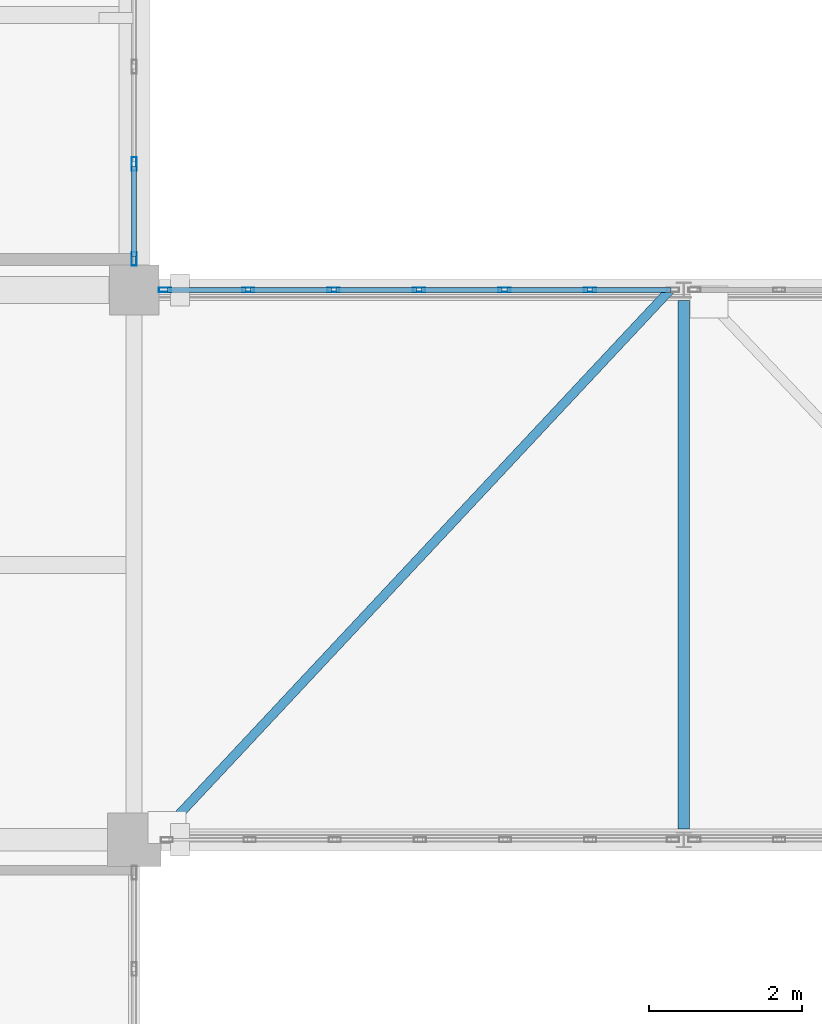
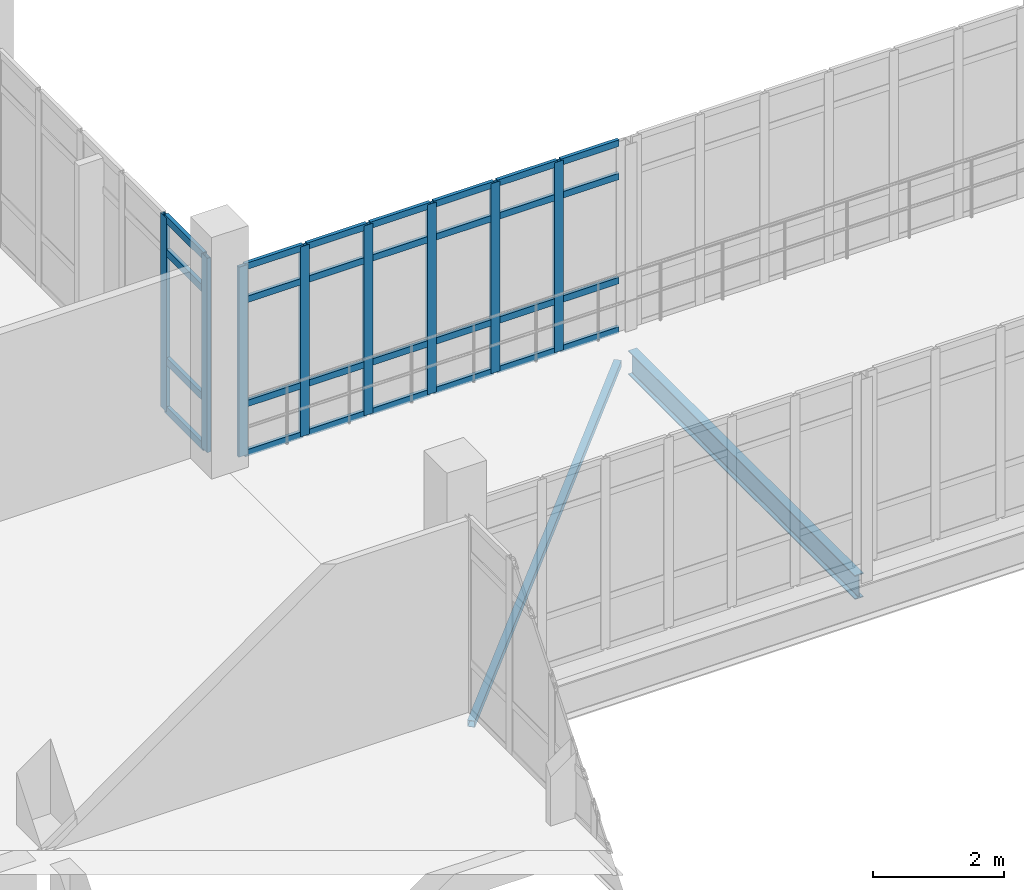
# One storey, part 17 of 116: 37 members, 1 beam, 2 elements without a shape of their own.
"""IFC4 building model written with IfcOpenShell, lengths in metres."""

from ifc_helpers import new_model, si_unit, direction, frame, origin, origin_2d, place, context, subcontext, project, spatial, hollow_rectangle, i_section, extrude, material, material_profile, profile_set, type_object, element, aggregate, save


model = new_model("IFC4")

# Units and contexts
model_context = context("Model", 3, precision=1e-05, world=origin(), true_north=direction((0.0, 1.0)))
body_context = subcontext(model_context, "Body", "Model", "MODEL_VIEW")
ifc_project = project(units=[si_unit("LENGTHUNIT", "METRE"), si_unit("AREAUNIT", "SQUARE_METRE"), si_unit("VOLUMEUNIT", "CUBIC_METRE"), si_unit("PLANEANGLEUNIT", "RADIAN"), si_unit("MASSUNIT", "GRAM", prefix="KILO")], contexts=[model_context])

# Site, building, storey
site_placement = place(None, origin())
site = spatial("IfcSite", under=ifc_project, at=site_placement, CompositionType="ELEMENT")
building_placement = place(site_placement, origin())
building = spatial("IfcBuilding", under=site, at=building_placement, Name="Kalluvel Institute of Natural Sciences", CompositionType="ELEMENT")
storey_placement = place(building_placement, frame((0.0, 0.0, 14.39990234375)))
storey = spatial("IfcBuildingStorey", under=building, at=storey_placement, Name="L03", CompositionType="ELEMENT", Elevation=14.39990234375)

# Beam
ifc_material_1 = material(Name="Steel E350 Grade 350", Category="steel")
ifc_material_profile_1 = material_profile(ifc_material_1, i_section(OverallWidth=0.14990234375, OverallDepth=0.449951171875, WebThickness=0.009521484375, FlangeThickness=0.017333984375, FilletRadius=0.014892578125, at=origin_2d()), Name="ISMB 450")
ifc_profile_set_1 = profile_set([ifc_material_profile_1], Name="Steel E350 Grade 350")
beam_type = type_object("IfcBeamType", Name="BM-ISMB450", PredefinedType="BEAM", material=ifc_profile_set_1)
beam_placement = place(storey_placement, frame((42.800048828125, 28.5400390625, -0.544921875), z_axis=(0.0, 1.0, 0.0), x_axis=(-1.0, 0.0, 0.0)))
element("IfcBeam", 1, at=beam_placement, inside=storey, type_object=beam_type, Name="L03 link bridge cross girder 63", PredefinedType="BEAM", context=body_context, shape_type="SweptSolid", body=[
    extrude(i_section(OverallWidth=0.14990234375, OverallDepth=0.449951171875, WebThickness=0.009521484375, FlangeThickness=0.017333984375, FilletRadius=0.014892578125, at=origin_2d()), origin(), (0.0, 0.0, 1.0), 6.919921875),
])

# Curtain wall, members
ifc_material_2 = material(Name="Aluminium AW-6063 T6", Category="aluminium")
curtain_wall_type_1 = type_object("IfcCurtainWallType", Name="CW-BRG-45", PredefinedType="USERDEFINED", material=ifc_material_2)
curtain_wall_1_placement = place(storey_placement, origin())
curtain_wall_1 = element("IfcCurtainWall", 2, at=curtain_wall_1_placement, inside=storey, type_object=curtain_wall_type_1, Name="L03 Gothic lancet curtain wall CWA-L03-X360-Y356", ObjectType="UNITISED LANCET FACADE", PredefinedType="USERDEFINED")
ifc_material_profile_2 = material_profile(ifc_material_2, hollow_rectangle(XDim=0.06005859375, YDim=0.159912109375, WallThickness=0.00390625, at=origin_2d()), Name="CWM 60x160")
ifc_profile_set_2 = profile_set([ifc_material_profile_2], Name="Aluminium AW-6063 T6")
member_type_1 = type_object("IfcMemberType", Name="CWM-60x160", PredefinedType="MULLION", material=ifc_profile_set_2)
member_1_placement = place(storey_placement, frame((36.0048828125, 35.60009765625, 0.0), z_axis=(0.0, 0.0, 1.0), x_axis=(0.0, 1.0, 0.0)))
member_1 = element("IfcMember", 3, at=member_1_placement, type_object=member_type_1, Name="CW-07 mullion 1", PredefinedType="MULLION", context=body_context, shape_type="SweptSolid", body=[
    extrude(hollow_rectangle(XDim=0.06005859375, YDim=0.159912109375, WallThickness=0.00390625, at=origin_2d()), origin(), (0.0, 0.0, 1.0), 3.5400390625),
])
member_2_placement = place(storey_placement, frame((37.09423828125, 35.60009765625, 0.0), z_axis=(0.0, 0.0, 1.0), x_axis=(0.0, 1.0, 0.0)))
member_2 = element("IfcMember", 4, at=member_2_placement, type_object=member_type_1, Name="CW-07 mullion 2", PredefinedType="MULLION", context=body_context, shape_type="SweptSolid", body=[
    extrude(hollow_rectangle(XDim=0.06005859375, YDim=0.159912109375, WallThickness=0.00390625, at=origin_2d()), origin(), (0.0, 0.0, 1.0), 3.5400390625),
])
member_3_placement = place(storey_placement, frame((38.21337890625, 35.60009765625, 0.0), z_axis=(0.0, 0.0, 1.0), x_axis=(0.0, 1.0, 0.0)))
member_3 = element("IfcMember", 5, at=member_3_placement, type_object=member_type_1, Name="CW-07 mullion 3", PredefinedType="MULLION", context=body_context, shape_type="SweptSolid", body=[
    extrude(hollow_rectangle(XDim=0.06005859375, YDim=0.159912109375, WallThickness=0.00390625, at=origin_2d()), origin(), (0.0, 0.0, 1.0), 3.5400390625),
])
member_4_placement = place(storey_placement, frame((39.33251953125, 35.60009765625, 0.0), z_axis=(0.0, 0.0, 1.0), x_axis=(0.0, 1.0, 0.0)))
member_4 = element("IfcMember", 6, at=member_4_placement, type_object=member_type_1, Name="CW-07 mullion 4", PredefinedType="MULLION", context=body_context, shape_type="SweptSolid", body=[
    extrude(hollow_rectangle(XDim=0.06005859375, YDim=0.159912109375, WallThickness=0.00390625, at=origin_2d()), origin(), (0.0, 0.0, 1.0), 3.5400390625),
])
member_5_placement = place(storey_placement, frame((40.45166015625, 35.60009765625, 0.0), z_axis=(0.0, 0.0, 1.0), x_axis=(0.0, 1.0, 0.0)))
member_5 = element("IfcMember", 7, at=member_5_placement, type_object=member_type_1, Name="CW-07 mullion 5", PredefinedType="MULLION", context=body_context, shape_type="SweptSolid", body=[
    extrude(hollow_rectangle(XDim=0.06005859375, YDim=0.159912109375, WallThickness=0.00390625, at=origin_2d()), origin(), (0.0, 0.0, 1.0), 3.5400390625),
])
member_6_placement = place(storey_placement, frame((41.57080078125, 35.60009765625, 0.0), z_axis=(0.0, 0.0, 1.0), x_axis=(0.0, 1.0, 0.0)))
member_6 = element("IfcMember", 8, at=member_6_placement, type_object=member_type_1, Name="CW-07 mullion 6", PredefinedType="MULLION", context=body_context, shape_type="SweptSolid", body=[
    extrude(hollow_rectangle(XDim=0.06005859375, YDim=0.159912109375, WallThickness=0.00390625, at=origin_2d()), origin(), (0.0, 0.0, 1.0), 3.5400390625),
])

curtain_wall_type_2 = type_object("IfcCurtainWallType", Name="CW-DRY-45", PredefinedType="USERDEFINED", material=ifc_material_2)
curtain_wall_2_placement = place(storey_placement, origin())
curtain_wall_2 = element("IfcCurtainWall", 9, at=curtain_wall_2_placement, inside=storey, type_object=curtain_wall_type_2, Name="L03 Gothic lancet curtain wall CWA-L03-X356-Y360", ObjectType="UNITISED LANCET FACADE", PredefinedType="USERDEFINED")
ifc_material_profile_3 = material_profile(ifc_material_2, hollow_rectangle(XDim=0.06494140625, YDim=0.179931640625, WallThickness=0.00439453125, at=origin_2d()), Name="CWM 65x180")
ifc_profile_set_3 = profile_set([ifc_material_profile_3], Name="Aluminium AW-6063 T6")
member_type_2 = type_object("IfcMemberType", Name="CWM-65x180", PredefinedType="MULLION", material=ifc_profile_set_3)
member_7_placement = place(storey_placement, frame((35.60009765625, 36.007568359375, 0.0), z_axis=(0.0, 0.0, 1.0), x_axis=(-1.0, 0.0, 0.0)))
member_7 = element("IfcMember", 10, at=member_7_placement, type_object=member_type_2, Name="CW-03 mullion 1", PredefinedType="MULLION", context=body_context, shape_type="SweptSolid", body=[
    extrude(hollow_rectangle(XDim=0.06494140625, YDim=0.179931640625, WallThickness=0.00439453125, at=origin_2d()), origin(), (0.0, 0.0, 1.0), 3.6201171875),
])
member_8_placement = place(storey_placement, frame((35.60009765625, 37.25, 0.0), z_axis=(0.0, 0.0, 1.0), x_axis=(-1.0, 0.0, 0.0)))
member_8 = element("IfcMember", 11, at=member_8_placement, type_object=member_type_2, Name="CW-03 mullion 2", PredefinedType="MULLION", context=body_context, shape_type="SweptSolid", body=[
    extrude(hollow_rectangle(XDim=0.06494140625, YDim=0.179931640625, WallThickness=0.00439453125, at=origin_2d()), origin(), (0.0, 0.0, 1.0), 3.6201171875),
])

# Member
ifc_material_profile_4 = material_profile(ifc_material_2, hollow_rectangle(XDim=0.06005859375, YDim=0.1201171875, WallThickness=0.00390625, at=origin_2d()), Name="CWT 60x120")
ifc_profile_set_4 = profile_set([ifc_material_profile_4], Name="Aluminium AW-6063 T6")
member_type_3 = type_object("IfcMemberType", Name="CWT-60x120", PredefinedType="USERDEFINED", material=ifc_profile_set_4)
member_9_placement = place(storey_placement, frame((36.034912109375, 35.60009765625, 0.030029296875), z_axis=(1.0, 0.0, 0.0), x_axis=(0.0, 1.0, 0.0)))
member_9 = element("IfcMember", 12, at=member_9_placement, type_object=member_type_3, Name="CW-07 transom 1.1", ObjectType="TRANSOM", PredefinedType="USERDEFINED", context=body_context, shape_type="SweptSolid", body=[
    extrude(hollow_rectangle(XDim=0.06005859375, YDim=0.1201171875, WallThickness=0.00390625, at=origin_2d()), origin(), (0.0, 0.0, 1.0), 1.029296875),
])

member_10_placement = place(storey_placement, frame((36.034912109375, 35.60009765625, 0.9501953125), z_axis=(1.0, 0.0, 0.0), x_axis=(0.0, 1.0, 0.0)))
member_10 = element("IfcMember", 13, at=member_10_placement, type_object=member_type_3, Name="CW-07 transom 1.2", ObjectType="TRANSOM", PredefinedType="USERDEFINED", context=body_context, shape_type="SweptSolid", body=[
    extrude(hollow_rectangle(XDim=0.06005859375, YDim=0.1201171875, WallThickness=0.00390625, at=origin_2d()), origin(), (0.0, 0.0, 1.0), 1.029296875),
])

member_11_placement = place(storey_placement, frame((36.034912109375, 35.60009765625, 2.89013671875), z_axis=(1.0, 0.0, 0.0), x_axis=(0.0, 1.0, 0.0)))
member_11 = element("IfcMember", 14, at=member_11_placement, type_object=member_type_3, Name="CW-07 transom 1.3", ObjectType="TRANSOM", PredefinedType="USERDEFINED", context=body_context, shape_type="SweptSolid", body=[
    extrude(hollow_rectangle(XDim=0.06005859375, YDim=0.1201171875, WallThickness=0.00390625, at=origin_2d()), origin(), (0.0, 0.0, 1.0), 1.029296875),
])

member_12_placement = place(storey_placement, frame((36.034912109375, 35.60009765625, 3.510009765625), z_axis=(1.0, 0.0, 0.0), x_axis=(0.0, 1.0, 0.0)))
member_12 = element("IfcMember", 15, at=member_12_placement, type_object=member_type_3, Name="CW-07 transom 1.4", ObjectType="TRANSOM", PredefinedType="USERDEFINED", context=body_context, shape_type="SweptSolid", body=[
    extrude(hollow_rectangle(XDim=0.06005859375, YDim=0.1201171875, WallThickness=0.00390625, at=origin_2d()), origin(), (0.0, 0.0, 1.0), 1.029296875),
])

member_13_placement = place(storey_placement, frame((37.124267578125, 35.60009765625, 0.030029296875), z_axis=(1.0, 0.0, 0.0), x_axis=(0.0, 1.0, 0.0)))
member_13 = element("IfcMember", 16, at=member_13_placement, type_object=member_type_3, Name="CW-07 transom 2.1", ObjectType="TRANSOM", PredefinedType="USERDEFINED", context=body_context, shape_type="SweptSolid", body=[
    extrude(hollow_rectangle(XDim=0.06005859375, YDim=0.1201171875, WallThickness=0.00390625, at=origin_2d()), origin(), (0.0, 0.0, 1.0), 1.05908203125),
])

member_14_placement = place(storey_placement, frame((37.124267578125, 35.60009765625, 0.9501953125), z_axis=(1.0, 0.0, 0.0), x_axis=(0.0, 1.0, 0.0)))
member_14 = element("IfcMember", 17, at=member_14_placement, type_object=member_type_3, Name="CW-07 transom 2.2", ObjectType="TRANSOM", PredefinedType="USERDEFINED", context=body_context, shape_type="SweptSolid", body=[
    extrude(hollow_rectangle(XDim=0.06005859375, YDim=0.1201171875, WallThickness=0.00390625, at=origin_2d()), origin(), (0.0, 0.0, 1.0), 1.05908203125),
])

member_15_placement = place(storey_placement, frame((37.124267578125, 35.60009765625, 2.89013671875), z_axis=(1.0, 0.0, 0.0), x_axis=(0.0, 1.0, 0.0)))
member_15 = element("IfcMember", 18, at=member_15_placement, type_object=member_type_3, Name="CW-07 transom 2.3", ObjectType="TRANSOM", PredefinedType="USERDEFINED", context=body_context, shape_type="SweptSolid", body=[
    extrude(hollow_rectangle(XDim=0.06005859375, YDim=0.1201171875, WallThickness=0.00390625, at=origin_2d()), origin(), (0.0, 0.0, 1.0), 1.05908203125),
])

member_16_placement = place(storey_placement, frame((37.124267578125, 35.60009765625, 3.510009765625), z_axis=(1.0, 0.0, 0.0), x_axis=(0.0, 1.0, 0.0)))
member_16 = element("IfcMember", 19, at=member_16_placement, type_object=member_type_3, Name="CW-07 transom 2.4", ObjectType="TRANSOM", PredefinedType="USERDEFINED", context=body_context, shape_type="SweptSolid", body=[
    extrude(hollow_rectangle(XDim=0.06005859375, YDim=0.1201171875, WallThickness=0.00390625, at=origin_2d()), origin(), (0.0, 0.0, 1.0), 1.05908203125),
])

member_17_placement = place(storey_placement, frame((38.243408203125, 35.60009765625, 0.030029296875), z_axis=(1.0, 0.0, 0.0), x_axis=(0.0, 1.0, 0.0)))
member_17 = element("IfcMember", 20, at=member_17_placement, type_object=member_type_3, Name="CW-07 transom 3.1", ObjectType="TRANSOM", PredefinedType="USERDEFINED", context=body_context, shape_type="SweptSolid", body=[
    extrude(hollow_rectangle(XDim=0.06005859375, YDim=0.1201171875, WallThickness=0.00390625, at=origin_2d()), origin(), (0.0, 0.0, 1.0), 1.05908203125),
])

member_18_placement = place(storey_placement, frame((38.243408203125, 35.60009765625, 0.9501953125), z_axis=(1.0, 0.0, 0.0), x_axis=(0.0, 1.0, 0.0)))
member_18 = element("IfcMember", 21, at=member_18_placement, type_object=member_type_3, Name="CW-07 transom 3.2", ObjectType="TRANSOM", PredefinedType="USERDEFINED", context=body_context, shape_type="SweptSolid", body=[
    extrude(hollow_rectangle(XDim=0.06005859375, YDim=0.1201171875, WallThickness=0.00390625, at=origin_2d()), origin(), (0.0, 0.0, 1.0), 1.05908203125),
])

member_19_placement = place(storey_placement, frame((38.243408203125, 35.60009765625, 2.89013671875), z_axis=(1.0, 0.0, 0.0), x_axis=(0.0, 1.0, 0.0)))
member_19 = element("IfcMember", 22, at=member_19_placement, type_object=member_type_3, Name="CW-07 transom 3.3", ObjectType="TRANSOM", PredefinedType="USERDEFINED", context=body_context, shape_type="SweptSolid", body=[
    extrude(hollow_rectangle(XDim=0.06005859375, YDim=0.1201171875, WallThickness=0.00390625, at=origin_2d()), origin(), (0.0, 0.0, 1.0), 1.05908203125),
])

member_20_placement = place(storey_placement, frame((38.243408203125, 35.60009765625, 3.510009765625), z_axis=(1.0, 0.0, 0.0), x_axis=(0.0, 1.0, 0.0)))
member_20 = element("IfcMember", 23, at=member_20_placement, type_object=member_type_3, Name="CW-07 transom 3.4", ObjectType="TRANSOM", PredefinedType="USERDEFINED", context=body_context, shape_type="SweptSolid", body=[
    extrude(hollow_rectangle(XDim=0.06005859375, YDim=0.1201171875, WallThickness=0.00390625, at=origin_2d()), origin(), (0.0, 0.0, 1.0), 1.05908203125),
])

member_21_placement = place(storey_placement, frame((39.362548828125, 35.60009765625, 0.030029296875), z_axis=(1.0, 0.0, 0.0), x_axis=(0.0, 1.0, 0.0)))
member_21 = element("IfcMember", 24, at=member_21_placement, type_object=member_type_3, Name="CW-07 transom 4.1", ObjectType="TRANSOM", PredefinedType="USERDEFINED", context=body_context, shape_type="SweptSolid", body=[
    extrude(hollow_rectangle(XDim=0.06005859375, YDim=0.1201171875, WallThickness=0.00390625, at=origin_2d()), origin(), (0.0, 0.0, 1.0), 1.05908203125),
])

member_22_placement = place(storey_placement, frame((39.362548828125, 35.60009765625, 0.9501953125), z_axis=(1.0, 0.0, 0.0), x_axis=(0.0, 1.0, 0.0)))
member_22 = element("IfcMember", 25, at=member_22_placement, type_object=member_type_3, Name="CW-07 transom 4.2", ObjectType="TRANSOM", PredefinedType="USERDEFINED", context=body_context, shape_type="SweptSolid", body=[
    extrude(hollow_rectangle(XDim=0.06005859375, YDim=0.1201171875, WallThickness=0.00390625, at=origin_2d()), origin(), (0.0, 0.0, 1.0), 1.05908203125),
])

member_23_placement = place(storey_placement, frame((39.362548828125, 35.60009765625, 2.89013671875), z_axis=(1.0, 0.0, 0.0), x_axis=(0.0, 1.0, 0.0)))
member_23 = element("IfcMember", 26, at=member_23_placement, type_object=member_type_3, Name="CW-07 transom 4.3", ObjectType="TRANSOM", PredefinedType="USERDEFINED", context=body_context, shape_type="SweptSolid", body=[
    extrude(hollow_rectangle(XDim=0.06005859375, YDim=0.1201171875, WallThickness=0.00390625, at=origin_2d()), origin(), (0.0, 0.0, 1.0), 1.05908203125),
])

member_24_placement = place(storey_placement, frame((39.362548828125, 35.60009765625, 3.510009765625), z_axis=(1.0, 0.0, 0.0), x_axis=(0.0, 1.0, 0.0)))
member_24 = element("IfcMember", 27, at=member_24_placement, type_object=member_type_3, Name="CW-07 transom 4.4", ObjectType="TRANSOM", PredefinedType="USERDEFINED", context=body_context, shape_type="SweptSolid", body=[
    extrude(hollow_rectangle(XDim=0.06005859375, YDim=0.1201171875, WallThickness=0.00390625, at=origin_2d()), origin(), (0.0, 0.0, 1.0), 1.05908203125),
])

member_25_placement = place(storey_placement, frame((40.481689453125, 35.60009765625, 0.030029296875), z_axis=(1.0, 0.0, 0.0), x_axis=(0.0, 1.0, 0.0)))
member_25 = element("IfcMember", 28, at=member_25_placement, type_object=member_type_3, Name="CW-07 transom 5.1", ObjectType="TRANSOM", PredefinedType="USERDEFINED", context=body_context, shape_type="SweptSolid", body=[
    extrude(hollow_rectangle(XDim=0.06005859375, YDim=0.1201171875, WallThickness=0.00390625, at=origin_2d()), origin(), (0.0, 0.0, 1.0), 1.05908203125),
])

member_26_placement = place(storey_placement, frame((40.481689453125, 35.60009765625, 0.9501953125), z_axis=(1.0, 0.0, 0.0), x_axis=(0.0, 1.0, 0.0)))
member_26 = element("IfcMember", 29, at=member_26_placement, type_object=member_type_3, Name="CW-07 transom 5.2", ObjectType="TRANSOM", PredefinedType="USERDEFINED", context=body_context, shape_type="SweptSolid", body=[
    extrude(hollow_rectangle(XDim=0.06005859375, YDim=0.1201171875, WallThickness=0.00390625, at=origin_2d()), origin(), (0.0, 0.0, 1.0), 1.05908203125),
])

member_27_placement = place(storey_placement, frame((40.481689453125, 35.60009765625, 2.89013671875), z_axis=(1.0, 0.0, 0.0), x_axis=(0.0, 1.0, 0.0)))
member_27 = element("IfcMember", 30, at=member_27_placement, type_object=member_type_3, Name="CW-07 transom 5.3", ObjectType="TRANSOM", PredefinedType="USERDEFINED", context=body_context, shape_type="SweptSolid", body=[
    extrude(hollow_rectangle(XDim=0.06005859375, YDim=0.1201171875, WallThickness=0.00390625, at=origin_2d()), origin(), (0.0, 0.0, 1.0), 1.05908203125),
])

member_28_placement = place(storey_placement, frame((40.481689453125, 35.60009765625, 3.510009765625), z_axis=(1.0, 0.0, 0.0), x_axis=(0.0, 1.0, 0.0)))
member_28 = element("IfcMember", 31, at=member_28_placement, type_object=member_type_3, Name="CW-07 transom 5.4", ObjectType="TRANSOM", PredefinedType="USERDEFINED", context=body_context, shape_type="SweptSolid", body=[
    extrude(hollow_rectangle(XDim=0.06005859375, YDim=0.1201171875, WallThickness=0.00390625, at=origin_2d()), origin(), (0.0, 0.0, 1.0), 1.05908203125),
])

member_29_placement = place(storey_placement, frame((41.600830078125, 35.60009765625, 0.030029296875), z_axis=(1.0, 0.0, 0.0), x_axis=(0.0, 1.0, 0.0)))
member_29 = element("IfcMember", 32, at=member_29_placement, type_object=member_type_3, Name="CW-07 transom 6.1", ObjectType="TRANSOM", PredefinedType="USERDEFINED", context=body_context, shape_type="SweptSolid", body=[
    extrude(hollow_rectangle(XDim=0.06005859375, YDim=0.1201171875, WallThickness=0.00390625, at=origin_2d()), origin(), (0.0, 0.0, 1.0), 1.029052734375),
])

member_30_placement = place(storey_placement, frame((41.600830078125, 35.60009765625, 0.9501953125), z_axis=(1.0, 0.0, 0.0), x_axis=(0.0, 1.0, 0.0)))
member_30 = element("IfcMember", 33, at=member_30_placement, type_object=member_type_3, Name="CW-07 transom 6.2", ObjectType="TRANSOM", PredefinedType="USERDEFINED", context=body_context, shape_type="SweptSolid", body=[
    extrude(hollow_rectangle(XDim=0.06005859375, YDim=0.1201171875, WallThickness=0.00390625, at=origin_2d()), origin(), (0.0, 0.0, 1.0), 1.029052734375),
])

member_31_placement = place(storey_placement, frame((41.600830078125, 35.60009765625, 2.89013671875), z_axis=(1.0, 0.0, 0.0), x_axis=(0.0, 1.0, 0.0)))
member_31 = element("IfcMember", 34, at=member_31_placement, type_object=member_type_3, Name="CW-07 transom 6.3", ObjectType="TRANSOM", PredefinedType="USERDEFINED", context=body_context, shape_type="SweptSolid", body=[
    extrude(hollow_rectangle(XDim=0.06005859375, YDim=0.1201171875, WallThickness=0.00390625, at=origin_2d()), origin(), (0.0, 0.0, 1.0), 1.029052734375),
])

member_32_placement = place(storey_placement, frame((41.600830078125, 35.60009765625, 3.510009765625), z_axis=(1.0, 0.0, 0.0), x_axis=(0.0, 1.0, 0.0)))
member_32 = element("IfcMember", 35, at=member_32_placement, type_object=member_type_3, Name="CW-07 transom 6.4", ObjectType="TRANSOM", PredefinedType="USERDEFINED", context=body_context, shape_type="SweptSolid", body=[
    extrude(hollow_rectangle(XDim=0.06005859375, YDim=0.1201171875, WallThickness=0.00390625, at=origin_2d()), origin(), (0.0, 0.0, 1.0), 1.029052734375),
])

aggregate(curtain_wall_1, [member_1, member_2, member_3, member_4, member_5, member_6, member_9, member_10, member_11, member_12, member_13, member_14, member_15, member_16, member_17, member_18, member_19, member_20, member_21, member_22, member_23, member_24, member_25, member_26, member_27, member_28, member_29, member_30, member_31, member_32])

ifc_material_profile_5 = material_profile(ifc_material_2, hollow_rectangle(XDim=0.06494140625, YDim=0.139892578125, WallThickness=0.00439453125, at=origin_2d()), Name="CWT 65x140")
ifc_profile_set_5 = profile_set([ifc_material_profile_5], Name="Aluminium AW-6063 T6")
member_type_4 = type_object("IfcMemberType", Name="CWT-65x140", PredefinedType="USERDEFINED", material=ifc_profile_set_5)
member_33_placement = place(storey_placement, frame((35.60009765625, 36.0400390625, 0.03271484375), z_axis=(0.0, 1.0, 0.0), x_axis=(-1.0, 0.0, 0.0)))
member_33 = element("IfcMember", 36, at=member_33_placement, type_object=member_type_4, Name="CW-03 transom 1.1", ObjectType="TRANSOM", PredefinedType="USERDEFINED", context=body_context, shape_type="SweptSolid", body=[
    extrude(hollow_rectangle(XDim=0.06494140625, YDim=0.139892578125, WallThickness=0.00439453125, at=origin_2d()), origin(), (0.0, 0.0, 1.0), 1.177490234375),
])

member_34_placement = place(storey_placement, frame((35.60009765625, 36.0400390625, 0.9501953125), z_axis=(0.0, 1.0, 0.0), x_axis=(-1.0, 0.0, 0.0)))
member_34 = element("IfcMember", 37, at=member_34_placement, type_object=member_type_4, Name="CW-03 transom 1.2", ObjectType="TRANSOM", PredefinedType="USERDEFINED", context=body_context, shape_type="SweptSolid", body=[
    extrude(hollow_rectangle(XDim=0.06494140625, YDim=0.139892578125, WallThickness=0.00439453125, at=origin_2d()), origin(), (0.0, 0.0, 1.0), 1.177490234375),
])

member_35_placement = place(storey_placement, frame((35.60009765625, 36.0400390625, 2.97021484375), z_axis=(0.0, 1.0, 0.0), x_axis=(-1.0, 0.0, 0.0)))
member_35 = element("IfcMember", 38, at=member_35_placement, type_object=member_type_4, Name="CW-03 transom 1.3", ObjectType="TRANSOM", PredefinedType="USERDEFINED", context=body_context, shape_type="SweptSolid", body=[
    extrude(hollow_rectangle(XDim=0.06494140625, YDim=0.139892578125, WallThickness=0.00439453125, at=origin_2d()), origin(), (0.0, 0.0, 1.0), 1.177490234375),
])

member_36_placement = place(storey_placement, frame((35.60009765625, 36.0400390625, 3.587646484375), z_axis=(0.0, 1.0, 0.0), x_axis=(-1.0, 0.0, 0.0)))
member_36 = element("IfcMember", 39, at=member_36_placement, type_object=member_type_4, Name="CW-03 transom 1.4", ObjectType="TRANSOM", PredefinedType="USERDEFINED", context=body_context, shape_type="SweptSolid", body=[
    extrude(hollow_rectangle(XDim=0.06494140625, YDim=0.139892578125, WallThickness=0.00439453125, at=origin_2d()), origin(), (0.0, 0.0, 1.0), 1.177490234375),
])

aggregate(curtain_wall_2, [member_7, member_8, member_33, member_34, member_35, member_36])

ifc_material_profile_6 = material_profile(ifc_material_1, hollow_rectangle(XDim=0.1201171875, YDim=0.1201171875, WallThickness=0.006103515625, at=origin_2d()), Name="SHS 120x120x6")
ifc_profile_set_6 = profile_set([ifc_material_profile_6], Name="Steel E350 Grade 350")
member_type_5 = type_object("IfcMemberType", Name="MB-BR-SHS120", PredefinedType="BRACE", material=ifc_profile_set_6)
member_37_placement = place(storey_placement, frame((35.8798828125, 28.39990234375, -0.599853515625), z_axis=(0.683404078651, 0.730040317574, 0.0), x_axis=(-0.730040317574, 0.683404078651, 0.0)))
element("IfcMember", 40, at=member_37_placement, inside=storey, type_object=member_type_5, Name="L03 link bridge horizontal plan brace L03-01-1", PredefinedType="BRACE", context=body_context, shape_type="SweptSolid", body=[
    extrude(hollow_rectangle(XDim=0.1201171875, YDim=0.1201171875, WallThickness=0.006103515625, at=origin_2d()), origin(), (0.0, 0.0, 1.0), 9.86279296875),
])

save(model, "model.ifc")
